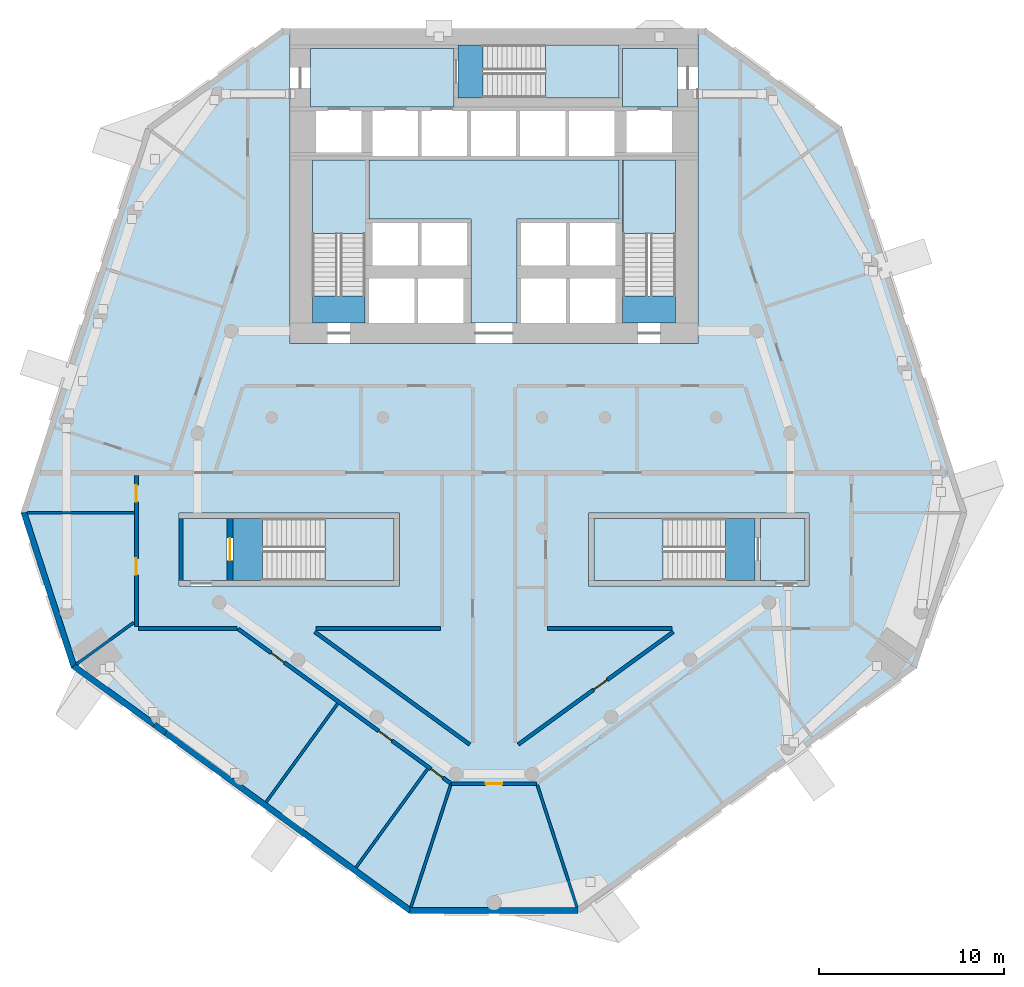
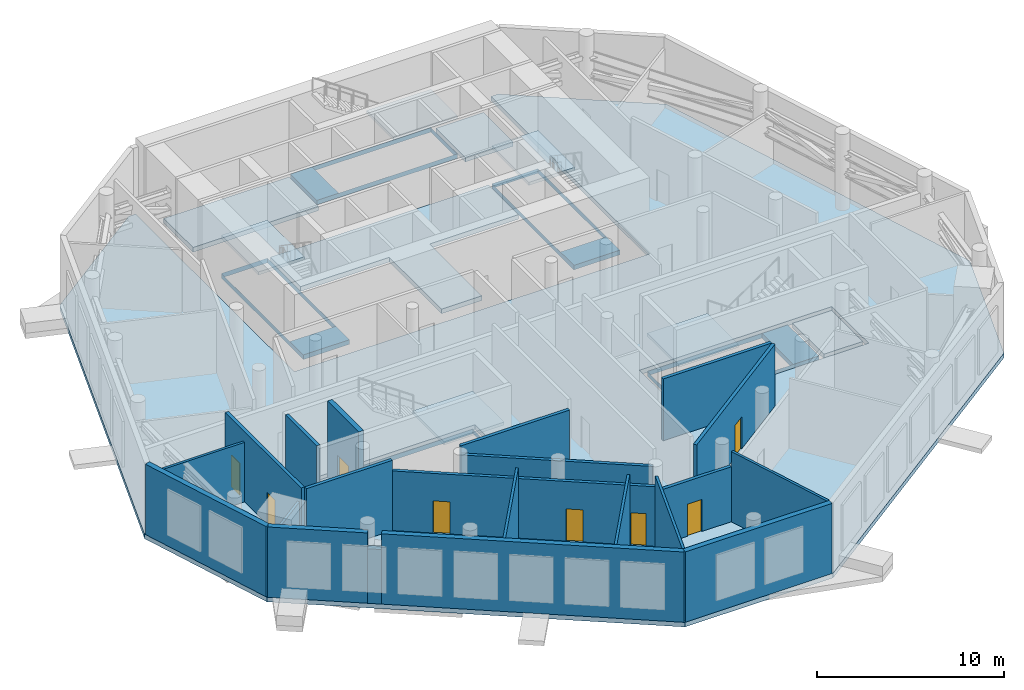
# One storey, part 6 of 15: 21 walls, 16 slabs, 8 doors, 8 openings, 5 elements without a shape of their own.
"""IFC4 building model written with IfcOpenShell, lengths in metres."""

from ifc_helpers import new_model, si_unit, direction, frame, frame_2d, origin, place, context, subcontext, project, spatial, polyline, rectangle, outline, extrude, material, layer, layer_set, type_object, element, fill, aggregate, save


model = new_model("IFC4")

# Units and contexts
model_context = context("Model", 3, precision=1e-05, world=origin(), true_north=direction((0.0, 1.0)))
body_context = subcontext(model_context, "Body", "Model", "MODEL_VIEW")
ifc_project = project(units=[si_unit("LENGTHUNIT", "METRE"), si_unit("AREAUNIT", "SQUARE_METRE"), si_unit("VOLUMEUNIT", "CUBIC_METRE"), si_unit("PLANEANGLEUNIT", "RADIAN"), si_unit("MASSUNIT", "GRAM", prefix="KILO")], contexts=[model_context])

# Site, building, storey
site_placement = place(None, origin())
site = spatial("IfcSite", under=ifc_project, at=site_placement, CompositionType="ELEMENT")
building_placement = place(site_placement, origin())
building = spatial("IfcBuilding", under=site, at=building_placement, Name="White Candle Pilgrim Tower", CompositionType="ELEMENT")
storey_placement = place(building_placement, frame((0.0, 0.0, 137.60009765625)))
storey = spatial("IfcBuildingStorey", under=building, at=storey_placement, Name="L31", CompositionType="ELEMENT", Elevation=137.60009765625)

# Slabs
ifc_material_1 = material(Name="Concrete C40/50", Category="concrete")
ifc_layer_1 = layer(ifc_material_1, 0.300048828125)
ifc_layer_set_1 = layer_set([ifc_layer_1], Name="Core floor slab 300 mm Concrete C40/50")
slab_type_1 = type_object("IfcSlabType", Name="Core floor slab 300 mm Concrete C40/50", PredefinedType="FLOOR", material=ifc_layer_set_1)
slab_1_placement = place(storey_placement, frame((0.0, 0.0, -0.300048828125)))
element("IfcSlab", 1, at=slab_1_placement, inside=storey, type_object=slab_type_1, Name="CF-L31-01", PredefinedType="FLOOR", context=body_context, shape_type="SweptSolid", body=[
    extrude(outline(polyline([(55.60009765625, 58.199951171875), (53.199951171875, 58.199951171875), (53.199951171875, 61.550048828125), (55.60009765625, 61.550048828125), (55.60009765625, 58.199951171875)])), origin(), (0.0, 0.0, 1.0), 0.300048828125),
])
slab_2_placement = place(storey_placement, frame((0.0, 0.0, -0.300048828125)))
element("IfcSlab", 2, at=slab_2_placement, inside=storey, type_object=slab_type_1, Name="CF-L31-02", PredefinedType="FLOOR", context=body_context, shape_type="SweptSolid", body=[
    extrude(outline(polyline([(55.89990234375, 58.199951171875), (55.89990234375, 61.550048828125), (64.60009765625, 61.550048828125), (64.60009765625, 58.199951171875), (55.89990234375, 58.199951171875)]), holes=[polyline([(57.501953125, 61.548095703125), (57.501953125, 58.201904296875), (64.597900390625, 58.201904296875), (64.597900390625, 61.548095703125), (57.501953125, 61.548095703125)])]), origin(), (0.0, 0.0, 1.0), 0.300048828125),
])
slab_3_placement = place(storey_placement, frame((0.0, 0.0, -0.300048828125)))
element("IfcSlab", 3, at=slab_3_placement, inside=storey, type_object=slab_type_1, Name="CF-L31-03", PredefinedType="FLOOR", context=body_context, shape_type="SweptSolid", body=[
    extrude(outline(polyline([(75.39990234375, 58.199951171875), (75.39990234375, 61.550048828125), (84.10009765625, 61.550048828125), (84.10009765625, 58.199951171875), (75.39990234375, 58.199951171875)]), holes=[polyline([(75.402099609375, 58.201904296875), (82.498046875, 58.201904296875), (82.498046875, 61.548095703125), (75.402099609375, 61.548095703125), (75.402099609375, 58.201904296875)])]), origin(), (0.0, 0.0, 1.0), 0.300048828125),
])
slab_4_placement = place(storey_placement, frame((0.0, 0.0, -0.300048828125)))
element("IfcSlab", 4, at=slab_4_placement, inside=storey, type_object=slab_type_1, Name="CF-L31-04", PredefinedType="FLOOR", context=body_context, shape_type="SweptSolid", body=[
    extrude(outline(polyline([(86.800048828125, 58.199951171875), (84.39990234375, 58.199951171875), (84.39990234375, 61.550048828125), (86.800048828125, 61.550048828125), (86.800048828125, 58.199951171875)])), origin(), (0.0, 0.0, 1.0), 0.300048828125),
])
slab_5_placement = place(storey_placement, frame((0.0, 0.0, -0.300048828125)))
element("IfcSlab", 5, at=slab_5_placement, inside=storey, type_object=slab_type_1, Name="CF-L31-05", PredefinedType="FLOOR", context=body_context, shape_type="SweptSolid", body=[
    extrude(outline(polyline([(76.75, 87.10009765625), (76.75, 86.89990234375), (76.75, 84.25), (68.050048828125, 84.25), (68.050048828125, 86.89990234375), (68.050048828125, 87.10009765625), (76.75, 87.10009765625)]), holes=[polyline([(69.402099609375, 87.097900390625), (69.402099609375, 84.251953125), (76.748046875, 84.251953125), (76.748046875, 87.097900390625), (69.402099609375, 87.097900390625)])]), origin(), (0.0, 0.0, 1.0), 0.300048828125),
])
slab_6_placement = place(storey_placement, frame((0.0, 0.0, -0.300048828125)))
element("IfcSlab", 6, at=slab_6_placement, inside=storey, type_object=slab_type_1, Name="CF-L31-06", PredefinedType="FLOOR", context=body_context, shape_type="SweptSolid", body=[
    extrude(outline(polyline([(79.89990234375, 86.89990234375), (79.89990234375, 83.75), (76.949951171875, 83.75), (76.949951171875, 84.25), (76.949951171875, 86.89990234375), (79.89990234375, 86.89990234375)])), origin(), (0.0, 0.0, 1.0), 0.300048828125),
])
slab_7_placement = place(storey_placement, frame((0.0, 0.0, -0.300048828125)))
element("IfcSlab", 7, at=slab_7_placement, inside=storey, type_object=slab_type_1, Name="CF-L31-07", PredefinedType="FLOOR", context=body_context, shape_type="SweptSolid", body=[
    extrude(outline(polyline([(76.949951171875, 72.10009765625), (76.949951171875, 74.5), (76.949951171875, 75.199951171875), (76.949951171875, 77.5), (76.949951171875, 77.699951171875), (76.949951171875, 80.89990234375), (79.800048828125, 80.89990234375), (79.800048828125, 72.10009765625), (76.949951171875, 72.10009765625)]), holes=[polyline([(76.951904296875, 80.89794921875), (76.951904296875, 73.552001953125), (79.798095703125, 73.552001953125), (79.798095703125, 80.89794921875), (76.951904296875, 80.89794921875)])]), origin(), (0.0, 0.0, 1.0), 0.300048828125),
])
slab_8_placement = place(storey_placement, frame((0.0, 0.0, -0.300048828125)))
element("IfcSlab", 8, at=slab_8_placement, inside=storey, type_object=slab_type_1, Name="CF-L31-08", PredefinedType="FLOOR", context=body_context, shape_type="SweptSolid", body=[
    extrude(outline(polyline([(68.75, 72.10009765625), (68.75, 74.5), (68.75, 75.199951171875), (68.75, 77.5), (68.75, 77.699951171875), (63.25, 77.699951171875), (63.25, 80.89990234375), (76.75, 80.89990234375), (76.75, 77.699951171875), (71.25, 77.699951171875), (71.25, 77.5), (71.25, 75.199951171875), (71.25, 74.5), (71.25, 72.10009765625), (68.75, 72.10009765625)])), origin(), (0.0, 0.0, 1.0), 0.300048828125),
])
slab_9_placement = place(storey_placement, frame((0.0, 0.0, -0.300048828125)))
element("IfcSlab", 9, at=slab_9_placement, inside=storey, type_object=slab_type_1, Name="CF-L31-09", PredefinedType="FLOOR", context=body_context, shape_type="SweptSolid", body=[
    extrude(outline(polyline([(60.199951171875, 72.10009765625), (60.199951171875, 80.89990234375), (63.050048828125, 80.89990234375), (63.050048828125, 77.699951171875), (63.050048828125, 77.5), (63.050048828125, 75.199951171875), (63.050048828125, 74.5), (63.050048828125, 72.10009765625), (60.199951171875, 72.10009765625)]), holes=[polyline([(60.201904296875, 73.552001953125), (63.048095703125, 73.552001953125), (63.048095703125, 80.89794921875), (60.201904296875, 80.89794921875), (60.201904296875, 73.552001953125)])]), origin(), (0.0, 0.0, 1.0), 0.300048828125),
])
slab_10_placement = place(storey_placement, frame((0.0, 0.0, -0.300048828125)))
element("IfcSlab", 10, at=slab_10_placement, inside=storey, type_object=slab_type_1, Name="CF-L31-10", PredefinedType="FLOOR", context=body_context, shape_type="SweptSolid", body=[
    extrude(outline(polyline([(60.10009765625, 86.89990234375), (67.85009765625, 86.89990234375), (67.85009765625, 84.25), (67.85009765625, 83.75), (60.10009765625, 83.75), (60.10009765625, 86.89990234375)])), origin(), (0.0, 0.0, 1.0), 0.300048828125),
])
ifc_layer_2 = layer(ifc_material_1, 0.300048828125)
ifc_layer_set_2 = layer_set([ifc_layer_2], Name="Floor slab 300 REI 240")
slab_type_2 = type_object("IfcSlabType", Name="Floor slab 300 REI 240", PredefinedType="FLOOR", material=ifc_layer_set_2)
slab_11_placement = place(storey_placement, frame((0.0, 0.0, -0.300048828125)))
element("IfcSlab", 11, at=slab_11_placement, inside=storey, type_object=slab_type_2, Name="L31 floor slab", PredefinedType="FLOOR", context=body_context, shape_type="SweptSolid", body=[
    extrude(outline(polyline([(65.41162109375, 40.2275390625), (74.58837890625, 40.2275390625), (92.819580078125, 53.47314453125), (95.543212890625, 61.855224609375), (88.7822265625, 82.663330078125), (81.43701171875, 88.0), (81.0, 88.0), (81.0, 71.0), (59.0, 71.0), (59.0, 88.0), (58.56298828125, 88.0), (51.2177734375, 82.663330078125), (44.456787109375, 61.855224609375), (47.180419921875, 53.47314453125), (65.41162109375, 40.2275390625)]), holes=[polyline([(53.0, 57.89990234375), (53.0, 61.85009765625), (64.89990234375, 61.85009765625), (64.89990234375, 57.89990234375), (53.0, 57.89990234375)]), polyline([(75.10009765625, 57.89990234375), (75.10009765625, 61.85009765625), (87.0, 61.85009765625), (87.0, 57.89990234375), (75.10009765625, 57.89990234375)])]), origin(), (0.0, 0.0, 1.0), 0.300048828125),
])

# Stair, slab
stair_type_1 = type_object("IfcStairType", Name="Exit stair 1 flight width 1350 mm", PredefinedType="HALF_TURN_STAIR", material=ifc_material_1)
stair_1_placement = place(storey_placement, origin())
stair_1 = element("IfcStair", 12, at=stair_1_placement, inside=storey, type_object=stair_type_1, Name="L31 stair 1", PredefinedType="NOTDEFINED")
ifc_layer_3 = layer(ifc_material_1, 0.199951171875)
ifc_layer_set_3 = layer_set([ifc_layer_3], Name="Stair landing Concrete C40/50")
slab_type_3 = type_object("IfcSlabType", Name="Stair landing Concrete C40/50", PredefinedType="LANDING", material=ifc_layer_set_3)
slab_12_placement = place(storey_placement, frame((0.0, 0.0, 2.2998046875)))
slab_12 = element("IfcSlab", 13, at=slab_12_placement, type_object=slab_type_3, Name="ST1 landing 1", PredefinedType="LANDING", context=body_context, shape_type="SweptSolid", body=[
    extrude(outline(polyline([(63.052001953125, 76.927978515625), (60.197998046875, 76.927978515625), (60.197998046875, 80.902099609375), (63.052001953125, 80.902099609375), (63.052001953125, 76.927978515625)])), origin(), (0.0, 0.0, 1.0), 0.2001953125),
])
aggregate(stair_1, [slab_12])

stair_type_2 = type_object("IfcStairType", Name="Exit stair 2 flight width 1350 mm", PredefinedType="HALF_TURN_STAIR", material=ifc_material_1)
stair_2_placement = place(storey_placement, origin())
stair_2 = element("IfcStair", 14, at=stair_2_placement, inside=storey, type_object=stair_type_2, Name="L31 stair 2", PredefinedType="NOTDEFINED")
slab_13_placement = place(storey_placement, frame((0.0, 0.0, 2.2998046875)))
slab_13 = element("IfcSlab", 15, at=slab_13_placement, type_object=slab_type_3, Name="ST2 landing 1", PredefinedType="LANDING", context=body_context, shape_type="SweptSolid", body=[
    extrude(outline(polyline([(79.802001953125, 76.927978515625), (76.947998046875, 76.927978515625), (76.947998046875, 80.902099609375), (79.802001953125, 80.902099609375), (79.802001953125, 76.927978515625)])), origin(), (0.0, 0.0, 1.0), 0.2001953125),
])
aggregate(stair_2, [slab_13])

stair_type_3 = type_object("IfcStairType", Name="Exit stair 3 flight width 1350 mm", PredefinedType="HALF_TURN_STAIR", material=ifc_material_1)
stair_3_placement = place(storey_placement, origin())
stair_3 = element("IfcStair", 16, at=stair_3_placement, inside=storey, type_object=stair_type_3, Name="L31 stair 3", PredefinedType="NOTDEFINED")
slab_14_placement = place(storey_placement, frame((0.0, 0.0, 2.2998046875)))
slab_14 = element("IfcSlab", 17, at=slab_14_placement, type_object=slab_type_3, Name="ST3 landing 1", PredefinedType="LANDING", context=body_context, shape_type="SweptSolid", body=[
    extrude(outline(polyline([(72.778076171875, 84.248046875), (72.778076171875, 87.10205078125), (76.751953125, 87.10205078125), (76.751953125, 84.248046875), (72.778076171875, 84.248046875)])), origin(), (0.0, 0.0, 1.0), 0.2001953125),
])
aggregate(stair_3, [slab_14])

stair_type_4 = type_object("IfcStairType", Name="Exit stair 4 flight width 1600 mm", PredefinedType="HALF_TURN_STAIR", material=ifc_material_1)
stair_4_placement = place(storey_placement, origin())
stair_4 = element("IfcStair", 18, at=stair_4_placement, inside=storey, type_object=stair_type_4, Name="L31 stair 4", PredefinedType="NOTDEFINED")
slab_15_placement = place(storey_placement, frame((0.0, 0.0, 2.2998046875)))
slab_15 = element("IfcSlab", 19, at=slab_15_placement, type_object=slab_type_3, Name="ST4 landing 1", PredefinedType="LANDING", context=body_context, shape_type="SweptSolid", body=[
    extrude(outline(polyline([(79.1220703125, 61.552001953125), (79.1220703125, 58.197998046875), (75.39794921875, 58.197998046875), (75.39794921875, 61.552001953125), (79.1220703125, 61.552001953125)])), origin(), (0.0, 0.0, 1.0), 0.2001953125),
])
aggregate(stair_4, [slab_15])

stair_type_5 = type_object("IfcStairType", Name="Exit stair 5 flight width 1600 mm", PredefinedType="HALF_TURN_STAIR", material=ifc_material_1)
stair_5_placement = place(storey_placement, origin())
stair_5 = element("IfcStair", 20, at=stair_5_placement, inside=storey, type_object=stair_type_5, Name="L31 stair 5", PredefinedType="NOTDEFINED")
slab_16_placement = place(storey_placement, frame((0.0, 0.0, 2.2998046875)))
slab_16 = element("IfcSlab", 21, at=slab_16_placement, type_object=slab_type_3, Name="ST5 landing 1", PredefinedType="LANDING", context=body_context, shape_type="SweptSolid", body=[
    extrude(outline(polyline([(60.8779296875, 58.197998046875), (60.8779296875, 61.552001953125), (64.60205078125, 61.552001953125), (64.60205078125, 58.197998046875), (60.8779296875, 58.197998046875)])), origin(), (0.0, 0.0, 1.0), 0.2001953125),
])
aggregate(stair_5, [slab_16])

# Wall
ifc_material_2 = material(Name="Concrete C60/75", Category="concrete")
ifc_layer_4 = layer(ifc_material_2, 0.199951171875)
ifc_layer_set_4 = layer_set([ifc_layer_4], Name="Core wall 200 mm Concrete C60/75")
wall_type_1 = type_object("IfcWallType", Name="Core wall 200 mm Concrete C60/75", PredefinedType="SHEAR", material=ifc_layer_set_4)
wall_1_placement = place(storey_placement, frame((53.10009765625, 58.199951171875, 0.0), z_axis=(0.0, 0.0, 1.0), x_axis=(0.0, 1.0, 0.0)))
element("IfcWall", 22, at=wall_1_placement, inside=storey, type_object=wall_type_1, Name="WL-L31-C03", PredefinedType="SHEAR", context=body_context, shape_type="SweptSolid", body=[
    extrude(rectangle(XDim=3.35009765625, YDim=0.199951171875, at=frame_2d((1.675048828125, 0.0))), origin(), (0.0, 0.0, 1.0), 5.0),
])

# Wall, opening, door
ifc_material_3 = material(Name="Gypsum board on steel studs", Category="steel")
ifc_layer_5 = layer(ifc_material_3, 0.199951171875)
ifc_layer_set_5 = layer_set([ifc_layer_5], Name="Corridor wall 200 mm EI 45")
wall_type_2 = type_object("IfcWallType", Name="Corridor wall 200 mm EI 45", PredefinedType="PARTITIONING", material=ifc_layer_set_5)
wall_2_placement = place(storey_placement, frame((72.281494140625, 47.2275390625, 0.0), z_axis=(0.0, 0.0, 1.0), x_axis=(-1.0, 0.0, 0.0)))
wall_2 = element("IfcWall", 23, at=wall_2_placement, inside=storey, type_object=wall_type_2, Name="WL-L31-P009", PredefinedType="PARTITIONING", context=body_context, shape_type="SweptSolid", body=[
    extrude(rectangle(XDim=4.56298828125, YDim=0.199951171875, at=frame_2d((2.281494140625, 0.0))), origin(), (0.0, 0.0, 1.0), 3.599853515625),
])
opening_1_placement = place(wall_2_placement, frame((1.83154296875, 0.0, 0.0)))
opening_1 = element("IfcOpeningElement", 24, at=opening_1_placement, cuts=wall_2, Name="Opening L31-105", PredefinedType="OPENING", context=body_context, shape_type="SweptSolid", body=[
    extrude(rectangle(XDim=0.89990234375, YDim=2.10009765625, at=frame_2d((0.449951171875, 1.050048828125))), frame((0.0, 0.10986328125, 0.0), z_axis=(0.0, -1.0, 0.0), x_axis=(1.0, 0.0, 0.0)), (0.0, 0.0, 1.0), 0.219970703125),
])
ifc_material_4 = material(Name="Steel door leaf", Category="steel")
door_type_1 = type_object("IfcDoorType", Name="Fire door 900 x 2100 EI 30", OperationType="NOTDEFINED", PredefinedType="DOOR", material=ifc_material_4)
door_1_placement = place(opening_1_placement, origin())
door_1 = element("IfcDoor", 25, at=door_1_placement, inside=storey, type_object=door_type_1, Name="Door L31-105", OperationType="SINGLE_SWING_LEFT", OverallHeight=2.10009765625, OverallWidth=0.89990234375, PredefinedType="DOOR", context=body_context, shape_type="SweptSolid", body=[
    extrude(rectangle(XDim=0.89990234375, YDim=2.10009765625, at=frame_2d((0.449951171875, 1.050048828125))), frame((0.0, 0.02490234375, 0.0), z_axis=(0.0, -1.0, 0.0), x_axis=(1.0, 0.0, 0.0)), (0.0, 0.0, 1.0), 0.050048828125),
])
fill(opening_1, door_1)

# Wall, openings, doors
wall_3_placement = place(storey_placement, frame((67.65966796875, 47.24658203125, 0.0), z_axis=(0.0, 0.0, 1.0), x_axis=(-0.809019673584, 0.58778156466, 0.0)))
wall_3 = element("IfcWall", 26, at=wall_3_placement, inside=storey, type_object=wall_type_2, Name="WL-L31-P010", PredefinedType="PARTITIONING", context=body_context, shape_type="SweptSolid", body=[
    extrude(rectangle(XDim=14.17919921875, YDim=0.199951171875, at=frame_2d((7.089599609375, 0.0))), origin(), (0.0, 0.0, 1.0), 3.89990234375),
])
opening_2_placement = place(wall_3_placement, frame((11.086181640625, 0.0, 0.0)))
opening_2 = element("IfcOpeningElement", 27, at=opening_2_placement, cuts=wall_3, Name="Opening L31-102", PredefinedType="OPENING", context=body_context, shape_type="SweptSolid", body=[
    extrude(rectangle(XDim=0.89990234375, YDim=2.10009765625, at=frame_2d((0.449951171875, 1.050048828125))), frame((0.0, 0.10986328125, 0.0), z_axis=(0.0, -1.0, 0.0), x_axis=(1.0, 0.0, 0.0)), (0.0, 0.0, 1.0), 0.219970703125),
])
opening_3_placement = place(wall_3_placement, frame((3.91064453125, 0.0, 0.0)))
opening_3 = element("IfcOpeningElement", 28, at=opening_3_placement, cuts=wall_3, Name="Opening L31-103", PredefinedType="OPENING", context=body_context, shape_type="SweptSolid", body=[
    extrude(rectangle(XDim=0.89990234375, YDim=2.10009765625, at=frame_2d((0.449951171875, 1.050048828125))), frame((0.0, 0.10986328125, 0.0), z_axis=(0.0, -1.0, 0.0), x_axis=(1.0, 0.0, 0.0)), (0.0, 0.0, 1.0), 0.219970703125),
])
opening_4_placement = place(wall_3_placement, frame((0.51416015625, 0.0, 0.0)))
opening_4 = element("IfcOpeningElement", 29, at=opening_4_placement, cuts=wall_3, Name="Opening L31-104", PredefinedType="OPENING", context=body_context, shape_type="SweptSolid", body=[
    extrude(rectangle(XDim=0.800048828125, YDim=2.10009765625, at=frame_2d((0.39990234375, 1.050048828125))), frame((0.0, 0.10986328125, 0.0), z_axis=(0.0, -1.0, 0.0), x_axis=(1.0, 0.0, 0.0)), (0.0, 0.0, 1.0), 0.219970703125),
])
door_type_2 = type_object("IfcDoorType", Name="Fire door 800 x 2100 EI 30", OperationType="NOTDEFINED", PredefinedType="DOOR", material=ifc_material_4)
door_2_placement = place(opening_4_placement, origin())
door_2 = element("IfcDoor", 30, at=door_2_placement, inside=storey, type_object=door_type_2, Name="Door L31-104", OperationType="SINGLE_SWING_RIGHT", OverallHeight=2.10009765625, OverallWidth=0.800048828125, PredefinedType="DOOR", context=body_context, shape_type="SweptSolid", body=[
    extrude(rectangle(XDim=0.800048828125, YDim=2.10009765625, at=frame_2d((0.39990234375, 1.050048828125))), frame((0.0, 0.02490234375, 0.0), z_axis=(0.0, -1.0, 0.0), x_axis=(1.0, 0.0, 0.0)), (0.0, 0.0, 1.0), 0.050048828125),
])
fill(opening_4, door_2)
door_3_placement = place(opening_2_placement, origin())
door_3 = element("IfcDoor", 31, at=door_3_placement, inside=storey, type_object=door_type_1, Name="Door L31-102", OperationType="SINGLE_SWING_RIGHT", OverallHeight=2.10009765625, OverallWidth=0.89990234375, PredefinedType="DOOR", context=body_context, shape_type="SweptSolid", body=[
    extrude(rectangle(XDim=0.89990234375, YDim=2.10009765625, at=frame_2d((0.449951171875, 1.050048828125))), frame((0.0, 0.02490234375, 0.0), z_axis=(0.0, -1.0, 0.0), x_axis=(1.0, 0.0, 0.0)), (0.0, 0.0, 1.0), 0.050048828125),
])
fill(opening_2, door_3)
door_4_placement = place(opening_3_placement, origin())
door_4 = element("IfcDoor", 32, at=door_4_placement, inside=storey, type_object=door_type_1, Name="Door L31-103", OperationType="SINGLE_SWING_LEFT", OverallHeight=2.10009765625, OverallWidth=0.89990234375, PredefinedType="DOOR", context=body_context, shape_type="SweptSolid", body=[
    extrude(rectangle(XDim=0.89990234375, YDim=2.10009765625, at=frame_2d((0.449951171875, 1.050048828125))), frame((0.0, 0.02490234375, 0.0), z_axis=(0.0, -1.0, 0.0), x_axis=(1.0, 0.0, 0.0)), (0.0, 0.0, 1.0), 0.050048828125),
])
fill(opening_3, door_4)

# Wall
wall_4_placement = place(storey_placement, frame((56.129638671875, 55.60009765625, 0.0), z_axis=(0.0, 0.0, 1.0), x_axis=(-1.0, 0.0, 0.0)))
element("IfcWall", 33, at=wall_4_placement, inside=storey, type_object=wall_type_2, Name="WL-L31-P011", PredefinedType="PARTITIONING", context=body_context, shape_type="SweptSolid", body=[
    extrude(rectangle(XDim=5.32958984375, YDim=0.199951171875, at=frame_2d((2.664794921875, 0.0))), origin(), (0.0, 0.0, 1.0), 4.599853515625),
])

# Wall, openings, doors
wall_5_placement = place(storey_placement, frame((50.699951171875, 55.699951171875, 0.0), z_axis=(0.0, 0.0, 1.0), x_axis=(0.0, 1.0, 0.0)))
wall_5 = element("IfcWall", 34, at=wall_5_placement, inside=storey, type_object=wall_type_2, Name="WL-L31-P012", PredefinedType="PARTITIONING", context=body_context, shape_type="SweptSolid", body=[
    extrude(rectangle(XDim=8.150146484375, YDim=0.199951171875, at=frame_2d((4.0751953125, 0.0))), origin(), (0.0, 0.0, 1.0), 4.599853515625),
])
opening_5_placement = place(wall_5_placement, frame((2.79296875, 0.0, 0.0)))
opening_5 = element("IfcOpeningElement", 35, at=opening_5_placement, cuts=wall_5, Name="Opening L31-101", PredefinedType="OPENING", context=body_context, shape_type="SweptSolid", body=[
    extrude(rectangle(XDim=0.89990234375, YDim=2.10009765625, at=frame_2d((0.449951171875, 1.050048828125))), frame((0.0, 0.10986328125, 0.0), z_axis=(0.0, -1.0, 0.0), x_axis=(1.0, 0.0, 0.0)), (0.0, 0.0, 1.0), 0.219970703125),
])
opening_6_placement = place(wall_5_placement, frame((6.740234375, 0.0, 0.0)))
opening_6 = element("IfcOpeningElement", 36, at=opening_6_placement, cuts=wall_5, Name="Opening L31-120", PredefinedType="OPENING", context=body_context, shape_type="SweptSolid", body=[
    extrude(rectangle(XDim=0.89990234375, YDim=2.10009765625, at=frame_2d((0.449951171875, 1.050048828125))), frame((0.0, 0.10986328125, 0.0), z_axis=(0.0, -1.0, 0.0), x_axis=(1.0, 0.0, 0.0)), (0.0, 0.0, 1.0), 0.219970703125),
])
door_5_placement = place(opening_5_placement, origin())
door_5 = element("IfcDoor", 37, at=door_5_placement, inside=storey, type_object=door_type_1, Name="Door L31-101", OperationType="SINGLE_SWING_LEFT", OverallHeight=2.10009765625, OverallWidth=0.89990234375, PredefinedType="DOOR", context=body_context, shape_type="SweptSolid", body=[
    extrude(rectangle(XDim=0.89990234375, YDim=2.10009765625, at=frame_2d((0.449951171875, 1.050048828125))), frame((0.0, 0.02490234375, 0.0), z_axis=(0.0, -1.0, 0.0), x_axis=(1.0, 0.0, 0.0)), (0.0, 0.0, 1.0), 0.050048828125),
])
fill(opening_5, door_5)
door_6_placement = place(opening_6_placement, origin())
door_6 = element("IfcDoor", 38, at=door_6_placement, inside=storey, type_object=door_type_1, Name="Door L31-120", OperationType="SINGLE_SWING_RIGHT", OverallHeight=2.10009765625, OverallWidth=0.89990234375, PredefinedType="DOOR", context=body_context, shape_type="SweptSolid", body=[
    extrude(rectangle(XDim=0.89990234375, YDim=2.10009765625, at=frame_2d((0.449951171875, 1.050048828125))), frame((0.0, 0.02490234375, 0.0), z_axis=(0.0, -1.0, 0.0), x_axis=(1.0, 0.0, 0.0)), (0.0, 0.0, 1.0), 0.050048828125),
])
fill(opening_6, door_6)

# Wall, opening, door
wall_6_placement = place(storey_placement, frame((71.308837890625, 49.340087890625, 0.0), z_axis=(0.0, 0.0, 1.0), x_axis=(0.809009574042, 0.587795465369, 0.0)))
wall_6 = element("IfcWall", 39, at=wall_6_placement, inside=storey, type_object=wall_type_2, Name="WL-L31-P017", PredefinedType="PARTITIONING", context=body_context, shape_type="SweptSolid", body=[
    extrude(rectangle(XDim=10.34228515625, YDim=0.199951171875, at=frame_2d((5.171142578125, 0.0))), origin(), (0.0, 0.0, 1.0), 4.0498046875),
])
opening_7_placement = place(wall_6_placement, frame((5.034423828125, 0.0, 0.0)))
opening_7 = element("IfcOpeningElement", 40, at=opening_7_placement, cuts=wall_6, Name="Opening L31-117", PredefinedType="OPENING", context=body_context, shape_type="SweptSolid", body=[
    extrude(rectangle(XDim=0.89990234375, YDim=2.10009765625, at=frame_2d((0.449951171875, 1.050048828125))), frame((0.0, 0.10986328125, 0.0), z_axis=(0.0, -1.0, 0.0), x_axis=(1.0, 0.0, 0.0)), (0.0, 0.0, 1.0), 0.219970703125),
])
door_7_placement = place(opening_7_placement, origin())
door_7 = element("IfcDoor", 41, at=door_7_placement, inside=storey, type_object=door_type_1, Name="Door L31-117", OperationType="SINGLE_SWING_LEFT", OverallHeight=2.10009765625, OverallWidth=0.89990234375, PredefinedType="DOOR", context=body_context, shape_type="SweptSolid", body=[
    extrude(rectangle(XDim=0.89990234375, YDim=2.10009765625, at=frame_2d((0.449951171875, 1.050048828125))), frame((0.0, 0.02490234375, 0.0), z_axis=(0.0, -1.0, 0.0), x_axis=(1.0, 0.0, 0.0)), (0.0, 0.0, 1.0), 0.050048828125),
])
fill(opening_7, door_7)

# Walls
for number, where, z_axis, x_axis, name in (
    (42, (79.616943359375, 55.60009765625, 0.0), (0.0, 0.0, 1.0), (-1.0, 0.0, 0.0), "WL-L31-P018"),
    (43, (67.10009765625, 55.60009765625, 0.0), (0.0, 0.0, 1.0), (-1.0, 0.0, 0.0), "WL-L31-P025"),
):
    element("IfcWall", number, at=place(storey_placement, frame(where, z_axis=z_axis, x_axis=x_axis)), inside=storey, type_object=wall_type_2, Name=name, PredefinedType="PARTITIONING", context=body_context, shape_type="SweptSolid", body=[
        extrude(rectangle(XDim=6.717041015625, YDim=0.199951171875, at=frame_2d((3.3583984375, 0.0))), origin(), (0.0, 0.0, 1.0), 4.0498046875),
    ])
wall_7_placement = place(storey_placement, frame((60.32421875, 55.419189453125, 0.0), z_axis=(0.0, 0.0, 1.0), x_axis=(0.809009574042, -0.587795465369, 0.0)))
element("IfcWall", 44, at=wall_7_placement, inside=storey, type_object=wall_type_2, Name="WL-L31-P026", PredefinedType="PARTITIONING", context=body_context, shape_type="SweptSolid", body=[
    extrude(rectangle(XDim=10.34228515625, YDim=0.199951171875, at=frame_2d((5.171142578125, 0.0))), origin(), (0.0, 0.0, 1.0), 3.599853515625),
])
ifc_material_5 = material(Name="Precast concrete C40/50", Category="concrete")
ifc_layer_6 = layer(ifc_material_5, 0.320068359375)
ifc_layer_set_6 = layer_set([ifc_layer_6], Name="Facade wall EW2 precast concrete C40/50 plant wall behind louvres")
wall_type_3 = type_object("IfcWallType", Name="Facade wall EW2 precast concrete C40/50 plant wall behind louvres", PredefinedType="SOLIDWALL", material=ifc_layer_set_6)
wall_8_placement = place(storey_placement, frame((44.625, 61.855224609375, 0.0), z_axis=(0.0, 0.0, 1.0), x_axis=(0.309020152218, -0.951055490244, 0.0)))
element("IfcWall", 45, at=wall_8_placement, inside=storey, type_object=wall_type_3, Name="Facade wall L31 W chamfer", PredefinedType="SOLIDWALL", context=body_context, shape_type="SweptSolid", body=[
    extrude(rectangle(XDim=8.70947265625, YDim=0.320068359375, at=frame_2d((4.354736328125, 0.0))), origin(), (0.0, 0.0, 1.0), 4.599853515625),
])
wall_9_placement = place(storey_placement, frame((47.31640625, 53.572021484375, 0.0), z_axis=(0.0, 0.0, 1.0), x_axis=(0.809034445775, -0.587761231751, 0.0)))
element("IfcWall", 46, at=wall_9_placement, inside=storey, type_object=wall_type_3, Name="Facade wall L31 SW", PredefinedType="SOLIDWALL", context=body_context, shape_type="SweptSolid", body=[
    extrude(rectangle(XDim=5.376708984375, YDim=0.320068359375, at=frame_2d((2.6884765625, 0.0))), origin(), (0.0, 0.0, 1.0), 4.599853515625),
])
wall_10_placement = place(storey_placement, frame((51.666259765625, 50.411865234375, 0.0), z_axis=(0.0, 0.0, 1.0), x_axis=(0.809045580708, -0.587745904569, 0.0)))
element("IfcWall", 47, at=wall_10_placement, inside=storey, type_object=wall_type_3, Name="Facade wall L31 SW", PredefinedType="SOLIDWALL", context=body_context, shape_type="SweptSolid", body=[
    extrude(rectangle(XDim=0.750244140625, YDim=0.320068359375, at=frame_2d((0.375, 0.0))), origin(), (0.0, 0.0, 1.0), 3.56982421875),
])
wall_11_placement = place(storey_placement, frame((52.273193359375, 49.970947265625, 0.0), z_axis=(0.0, 0.0, 1.0), x_axis=(0.809014428854, -0.587788783413, 0.0)))
element("IfcWall", 48, at=wall_11_placement, inside=storey, type_object=wall_type_3, Name="Facade wall L31 SW", PredefinedType="SOLIDWALL", context=body_context, shape_type="SweptSolid", body=[
    extrude(rectangle(XDim=16.30419921875, YDim=0.320068359375, at=frame_2d((8.152099609375, 0.0))), origin(), (0.0, 0.0, 1.0), 4.599853515625),
])
wall_12_placement = place(storey_placement, frame((65.463623046875, 40.387451171875, 0.0), z_axis=(0.0, 0.0, 1.0), x_axis=(1.0, 0.0, 0.0)))
element("IfcWall", 49, at=wall_12_placement, inside=storey, type_object=wall_type_3, Name="Facade wall L31 S chamfer", PredefinedType="SOLIDWALL", context=body_context, shape_type="SweptSolid", body=[
    extrude(rectangle(XDim=9.07275390625, YDim=0.320068359375, at=frame_2d((4.536376953125, 0.0))), origin(), (0.0, 0.0, 1.0), 4.599853515625),
])
ifc_layer_7 = layer(ifc_material_3, 0.14990234375)
ifc_layer_set_7 = layer_set([ifc_layer_7], Name="Partition 150 mm EI 60")
wall_type_4 = type_object("IfcWallType", Name="Partition 150 mm EI 60", PredefinedType="PARTITIONING", material=ifc_layer_set_7)
wall_13_placement = place(storey_placement, frame((44.793212890625, 61.855224609375, 0.0), z_axis=(0.0, 0.0, 1.0), x_axis=(1.0, 0.0, 0.0)))
element("IfcWall", 50, at=wall_13_placement, inside=storey, type_object=wall_type_4, Name="WL-L31-P028", PredefinedType="PARTITIONING", context=body_context, shape_type="SweptSolid", body=[
    extrude(rectangle(XDim=5.806884765625, YDim=0.14990234375, at=frame_2d((2.9033203125, 0.0))), origin(), (0.0, 0.0, 1.0), 3.89990234375),
])
wall_14_placement = place(storey_placement, frame((47.45263671875, 53.6708984375, 0.0), z_axis=(0.0, 0.0, 1.0), x_axis=(0.808989212511, 0.587823488848, 0.0)))
element("IfcWall", 51, at=wall_14_placement, inside=storey, type_object=wall_type_4, Name="WL-L31-P029", PredefinedType="PARTITIONING", context=body_context, shape_type="SweptSolid", body=[
    extrude(rectangle(XDim=3.8359375, YDim=0.14990234375, at=frame_2d((1.91796875, 0.0))), origin(), (0.0, 0.0, 1.0), 3.599853515625),
])
for number, where, z_axis, x_axis, name in (
    (52, (65.515380859375, 40.547607421875, 0.0), (0.0, 0.0, 1.0), (0.30904072172, 0.951048806486, 0.0), "WL-L31-P030"),
    (53, (74.484619140625, 40.547607421875, 0.0), (0.0, 0.0, 1.0), (-0.30904072172, 0.951048806486, 0.0), "WL-L31-P031"),
):
    element("IfcWall", number, at=place(storey_placement, frame(where, z_axis=z_axis, x_axis=x_axis)), inside=storey, type_object=wall_type_4, Name=name, PredefinedType="PARTITIONING", context=body_context, shape_type="SweptSolid", body=[
        extrude(rectangle(XDim=6.9384765625, YDim=0.14990234375, at=frame_2d((3.46923828125, 0.0))), origin(), (0.0, 0.0, 1.0), 4.599853515625),
    ])
for number, where, z_axis, x_axis, name in (
    (54, (57.697509765625, 46.2275390625, 0.0), (0.0, 0.0, 1.0), (0.587796586364, 0.809008759569, 0.0), "WL-L31-P037"),
    (55, (62.5517578125, 42.70068359375, 0.0), (0.0, 0.0, 1.0), (0.587754657724, 0.809039221746, 0.0), "WL-L31-P038"),
):
    element("IfcWall", number, at=place(storey_placement, frame(where, z_axis=z_axis, x_axis=x_axis)), inside=storey, type_object=wall_type_4, Name=name, PredefinedType="PARTITIONING", context=body_context, shape_type="SweptSolid", body=[
        extrude(rectangle(XDim=6.580078125, YDim=0.14990234375, at=frame_2d((3.2900390625, 0.0))), origin(), (0.0, 0.0, 1.0), 4.599853515625),
    ])

# Wall, opening, door
ifc_layer_8 = layer(ifc_material_2, 0.300048828125)
ifc_layer_set_8 = layer_set([ifc_layer_8], Name="Stair shaft wall 300 mm Concrete C60/75")
wall_type_5 = type_object("IfcWallType", Name="Stair shaft wall 300 mm Concrete C60/75", PredefinedType="SHEAR", material=ifc_layer_set_8)
wall_15_placement = place(storey_placement, frame((55.75, 58.199951171875, 0.0), z_axis=(0.0, 0.0, 1.0), x_axis=(0.0, 1.0, 0.0)))
wall_15 = element("IfcWall", 56, at=wall_15_placement, inside=storey, type_object=wall_type_5, Name="WL-L31-C04", PredefinedType="SHEAR", context=body_context, shape_type="SweptSolid", body=[
    extrude(rectangle(XDim=3.35009765625, YDim=0.300048828125, at=frame_2d((1.675048828125, 0.0))), origin(), (0.0, 0.0, 1.0), 5.0),
])
opening_8_placement = place(wall_15_placement, frame((1.074951171875, 0.0, 0.0)))
opening_8 = element("IfcOpeningElement", 57, at=opening_8_placement, cuts=wall_15, Name="Opening L31-008", PredefinedType="OPENING", context=body_context, shape_type="SweptSolid", body=[
    extrude(rectangle(XDim=1.199951171875, YDim=2.10009765625, at=frame_2d((0.60009765625, 1.050048828125))), frame((0.0, 0.159912109375, 0.0), z_axis=(0.0, -1.0, 0.0), x_axis=(1.0, 0.0, 0.0)), (0.0, 0.0, 1.0), 0.320068359375),
])
door_type_3 = type_object("IfcDoorType", Name="Fire door 1200 x 2100 EI 60", OperationType="NOTDEFINED", PredefinedType="DOOR", material=ifc_material_4)
door_8_placement = place(opening_8_placement, frame((1.199951171875, 0.0, 0.0), z_axis=(0.0, 0.0, 1.0), x_axis=(-1.0, 0.0, 0.0)))
door_8 = element("IfcDoor", 58, at=door_8_placement, inside=storey, type_object=door_type_3, Name="Door L31-008", OperationType="SINGLE_SWING_LEFT", OverallHeight=2.10009765625, OverallWidth=1.199951171875, PredefinedType="DOOR", context=body_context, shape_type="SweptSolid", body=[
    extrude(rectangle(XDim=1.199951171875, YDim=2.10009765625, at=frame_2d((0.60009765625, 1.050048828125))), frame((0.0, 0.02490234375, 0.0), z_axis=(0.0, -1.0, 0.0), x_axis=(1.0, 0.0, 0.0)), (0.0, 0.0, 1.0), 0.050048828125),
])
fill(opening_8, door_8)

save(model, "model.ifc")
